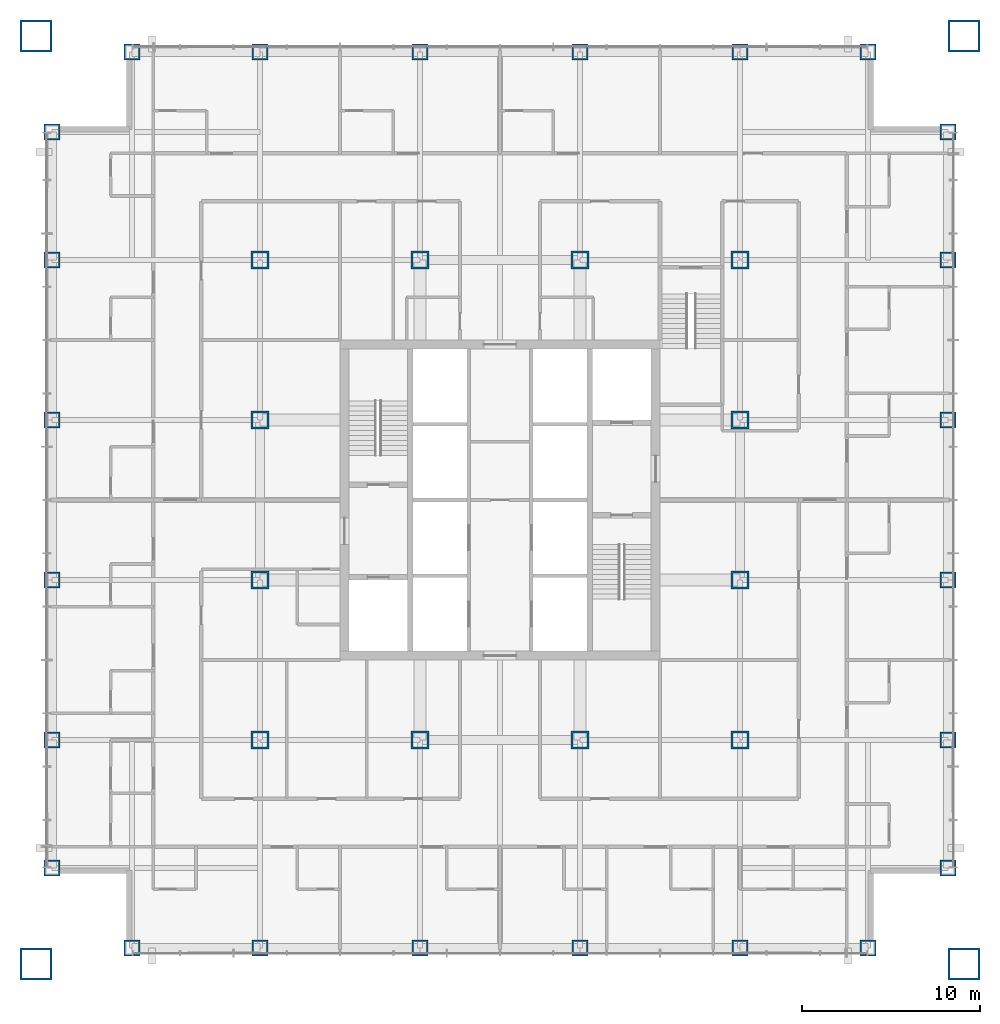
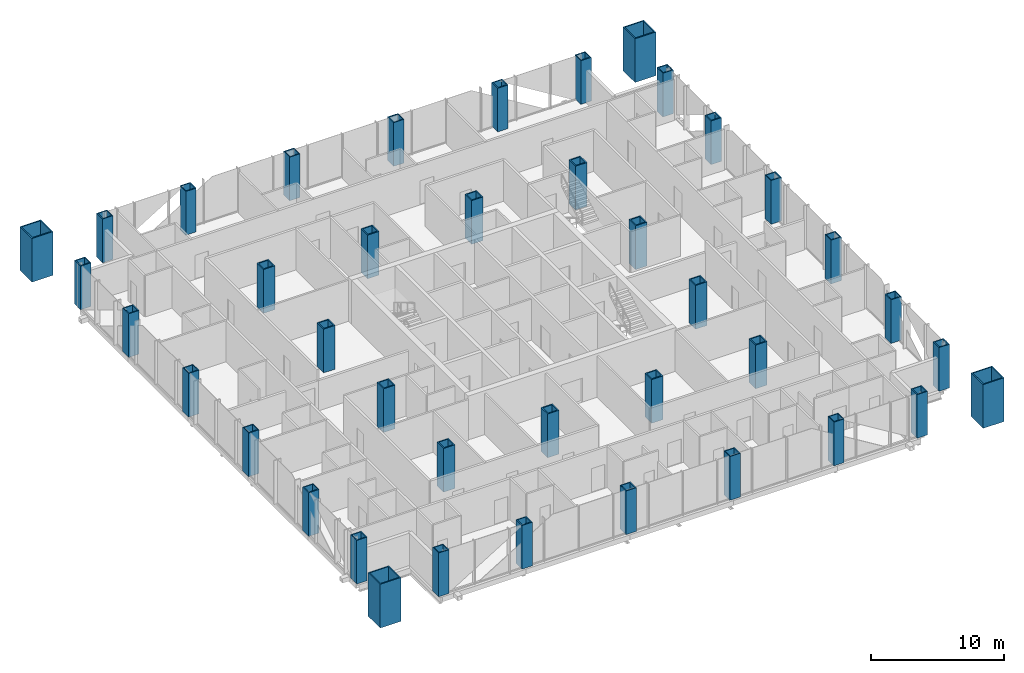
# One storey, part 1 of 13: 40 columns.
"""IFC4 building model written with IfcOpenShell, lengths in metres."""

from ifc_helpers import new_model, si_unit, direction, frame, origin, origin_2d, place, context, subcontext, project, spatial, hollow_rectangle, extrude, material, material_profile, profile_set, type_object, element, save


model = new_model("IFC4")

# Units and contexts
model_context = context("Model", 3, precision=1e-05, world=origin(), true_north=direction((0.0, 1.0)))
body_context = subcontext(model_context, "Body", "Model", "MODEL_VIEW")
ifc_project = project(units=[si_unit("LENGTHUNIT", "METRE"), si_unit("AREAUNIT", "SQUARE_METRE"), si_unit("VOLUMEUNIT", "CUBIC_METRE"), si_unit("PLANEANGLEUNIT", "RADIAN"), si_unit("MASSUNIT", "GRAM", prefix="KILO")], contexts=[model_context])

# Site, building, storey
site_placement = place(None, origin())
site = spatial("IfcSite", under=ifc_project, at=site_placement, CompositionType="ELEMENT")
building_placement = place(site_placement, origin())
building = spatial("IfcBuilding", under=site, at=building_placement, Name="Malebo Sky Hospital", CompositionType="ELEMENT")
storey_placement = place(building_placement, frame((0.0, 0.0, 35.0)))
storey = spatial("IfcBuildingStorey", under=building, at=storey_placement, Name="L07", CompositionType="ELEMENT", Elevation=35.0)

# Columns
ifc_material = material(Name="Steel S460", Category="steel")
ifc_material_profile_1 = material_profile(ifc_material, hollow_rectangle(XDim=1.0, YDim=1.0, WallThickness=0.10009765625, at=origin_2d()), Name="BOX 1000x1000x100")
ifc_profile_set_1 = profile_set([ifc_material_profile_1], Name="Steel S460")
column_type_1 = type_object("IfcColumnType", Name="INNER COLUMN BOX 1000x1000x100", PredefinedType="COLUMN", material=ifc_profile_set_1)
for number, where, z_axis, x_axis, name in (
    (1, (46.5, 48.5, 0.0), (0.0, 0.0, 1.0), (1.0, 0.0, 0.0), "Column IC9 L07"),
    (2, (73.5, 48.5, 0.0), (0.0, 0.0, 1.0), (1.0, 0.0, 0.0), "Column IC9 L07"),
    (3, (73.5, 75.5, 0.0), (0.0, 0.0, 1.0), (1.0, 0.0, 0.0), "Column IC9 L07"),
    (4, (46.5, 75.5, 0.0), (0.0, 0.0, 1.0), (1.0, 0.0, 0.0), "Column IC9 L07"),
    (5, (55.5, 48.5, 0.0), (0.0, 0.0, 1.0), (1.0, 0.0, 0.0), "Column IC9 L07"),
    (6, (64.5, 48.5, 0.0), (0.0, 0.0, 1.0), (1.0, 0.0, 0.0), "Column IC9 L07"),
    (7, (55.5, 75.5, 0.0), (0.0, 0.0, 1.0), (1.0, 0.0, 0.0), "Column IC9 L07"),
    (8, (64.5, 75.5, 0.0), (0.0, 0.0, 1.0), (1.0, 0.0, 0.0), "Column IC9 L07"),
    (9, (46.5, 57.5, 0.0), (0.0, 0.0, 1.0), (1.0, 0.0, 0.0), "Column IC9 L07"),
    (10, (46.5, 66.5, 0.0), (0.0, 0.0, 1.0), (1.0, 0.0, 0.0), "Column IC9 L07"),
    (11, (73.5, 57.5, 0.0), (0.0, 0.0, 1.0), (1.0, 0.0, 0.0), "Column IC9 L07"),
    (12, (73.5, 66.5, 0.0), (0.0, 0.0, 1.0), (1.0, 0.0, 0.0), "Column IC9 L07"),
):
    element("IfcColumn", number, at=place(storey_placement, frame(where, z_axis=z_axis, x_axis=x_axis)), inside=storey, type_object=column_type_1, Name=name, PredefinedType="COLUMN", context=body_context, shape_type="SweptSolid", body=[
        extrude(hollow_rectangle(XDim=1.0, YDim=1.0, WallThickness=0.10009765625, at=origin_2d()), origin(), (0.0, 0.0, 1.0), 4.0),
    ])
ifc_material_profile_2 = material_profile(ifc_material, hollow_rectangle(XDim=1.800048828125, YDim=1.800048828125, WallThickness=0.10009765625, at=origin_2d()), Name="BOX 1800x1800x100")
ifc_profile_set_2 = profile_set([ifc_material_profile_2], Name="Steel S460")
column_type_2 = type_object("IfcColumnType", Name="MEGA COLUMN BOX 1800x1800x100", PredefinedType="COLUMN", material=ifc_profile_set_2)
for number, where, z_axis, x_axis, name in (
    (13, (33.89990234375, 35.89990234375, 0.0), (0.0, 0.0, 1.0), (1.0, 0.0, 0.0), "Mega column SW L07"),
    (14, (86.10009765625, 35.89990234375, 0.0), (0.0, 0.0, 1.0), (1.0, 0.0, 0.0), "Mega column SE L07"),
    (15, (86.10009765625, 88.10009765625, 0.0), (0.0, 0.0, 1.0), (1.0, 0.0, 0.0), "Mega column NE L07"),
    (16, (33.89990234375, 88.10009765625, 0.0), (0.0, 0.0, 1.0), (1.0, 0.0, 0.0), "Mega column NW L07"),
):
    element("IfcColumn", number, at=place(storey_placement, frame(where, z_axis=z_axis, x_axis=x_axis)), inside=storey, type_object=column_type_2, Name=name, PredefinedType="COLUMN", context=body_context, shape_type="SweptSolid", body=[
        extrude(hollow_rectangle(XDim=1.800048828125, YDim=1.800048828125, WallThickness=0.10009765625, at=origin_2d()), origin(), (0.0, 0.0, 1.0), 4.0),
    ])
ifc_material_profile_3 = material_profile(ifc_material, hollow_rectangle(XDim=0.89990234375, YDim=0.89990234375, WallThickness=0.080078125, at=origin_2d()), Name="BOX 900x900x80")
ifc_profile_set_3 = profile_set([ifc_material_profile_3], Name="Steel S460")
column_type_3 = type_object("IfcColumnType", Name="PERIMETER COLUMN BOX 900x900x80", PredefinedType="COLUMN", material=ifc_profile_set_3)
for number, where, z_axis, x_axis, name in (
    (17, (39.300048828125, 36.800048828125, 0.0), (0.0, 0.0, 1.0), (1.0, 0.0, 0.0), "Column PC8 L07"),
    (18, (39.300048828125, 87.199951171875, 0.0), (0.0, 0.0, 1.0), (1.0, 0.0, 0.0), "Column PC8 L07"),
    (19, (34.800048828125, 41.300048828125, 0.0), (0.0, 0.0, 1.0), (1.0, 0.0, 0.0), "Column PC8 L07"),
    (20, (85.199951171875, 41.300048828125, 0.0), (0.0, 0.0, 1.0), (1.0, 0.0, 0.0), "Column PC8 L07"),
    (21, (46.5, 36.800048828125, 0.0), (0.0, 0.0, 1.0), (1.0, 0.0, 0.0), "Column PC8 L07"),
    (22, (46.5, 87.199951171875, 0.0), (0.0, 0.0, 1.0), (1.0, 0.0, 0.0), "Column PC8 L07"),
    (23, (34.800048828125, 48.5, 0.0), (0.0, 0.0, 1.0), (1.0, 0.0, 0.0), "Column PC8 L07"),
    (24, (85.199951171875, 48.5, 0.0), (0.0, 0.0, 1.0), (1.0, 0.0, 0.0), "Column PC8 L07"),
    (25, (55.5, 36.800048828125, 0.0), (0.0, 0.0, 1.0), (1.0, 0.0, 0.0), "Column PC8 L07"),
    (26, (55.5, 87.199951171875, 0.0), (0.0, 0.0, 1.0), (1.0, 0.0, 0.0), "Column PC8 L07"),
    (27, (34.800048828125, 57.5, 0.0), (0.0, 0.0, 1.0), (1.0, 0.0, 0.0), "Column PC8 L07"),
    (28, (85.199951171875, 57.5, 0.0), (0.0, 0.0, 1.0), (1.0, 0.0, 0.0), "Column PC8 L07"),
    (29, (64.5, 36.800048828125, 0.0), (0.0, 0.0, 1.0), (1.0, 0.0, 0.0), "Column PC8 L07"),
    (30, (64.5, 87.199951171875, 0.0), (0.0, 0.0, 1.0), (1.0, 0.0, 0.0), "Column PC8 L07"),
    (31, (34.800048828125, 66.5, 0.0), (0.0, 0.0, 1.0), (1.0, 0.0, 0.0), "Column PC8 L07"),
    (32, (85.199951171875, 66.5, 0.0), (0.0, 0.0, 1.0), (1.0, 0.0, 0.0), "Column PC8 L07"),
    (33, (73.5, 36.800048828125, 0.0), (0.0, 0.0, 1.0), (1.0, 0.0, 0.0), "Column PC8 L07"),
    (34, (73.5, 87.199951171875, 0.0), (0.0, 0.0, 1.0), (1.0, 0.0, 0.0), "Column PC8 L07"),
    (35, (34.800048828125, 75.5, 0.0), (0.0, 0.0, 1.0), (1.0, 0.0, 0.0), "Column PC8 L07"),
    (36, (85.199951171875, 75.5, 0.0), (0.0, 0.0, 1.0), (1.0, 0.0, 0.0), "Column PC8 L07"),
    (37, (80.699951171875, 36.800048828125, 0.0), (0.0, 0.0, 1.0), (1.0, 0.0, 0.0), "Column PC8 L07"),
    (38, (80.699951171875, 87.199951171875, 0.0), (0.0, 0.0, 1.0), (1.0, 0.0, 0.0), "Column PC8 L07"),
    (39, (34.800048828125, 82.699951171875, 0.0), (0.0, 0.0, 1.0), (1.0, 0.0, 0.0), "Column PC8 L07"),
    (40, (85.199951171875, 82.699951171875, 0.0), (0.0, 0.0, 1.0), (1.0, 0.0, 0.0), "Column PC8 L07"),
):
    element("IfcColumn", number, at=place(storey_placement, frame(where, z_axis=z_axis, x_axis=x_axis)), inside=storey, type_object=column_type_3, Name=name, PredefinedType="COLUMN", context=body_context, shape_type="SweptSolid", body=[
        extrude(hollow_rectangle(XDim=0.89990234375, YDim=0.89990234375, WallThickness=0.080078125, at=origin_2d()), origin(), (0.0, 0.0, 1.0), 4.0),
    ])

save(model, "model.ifc")
